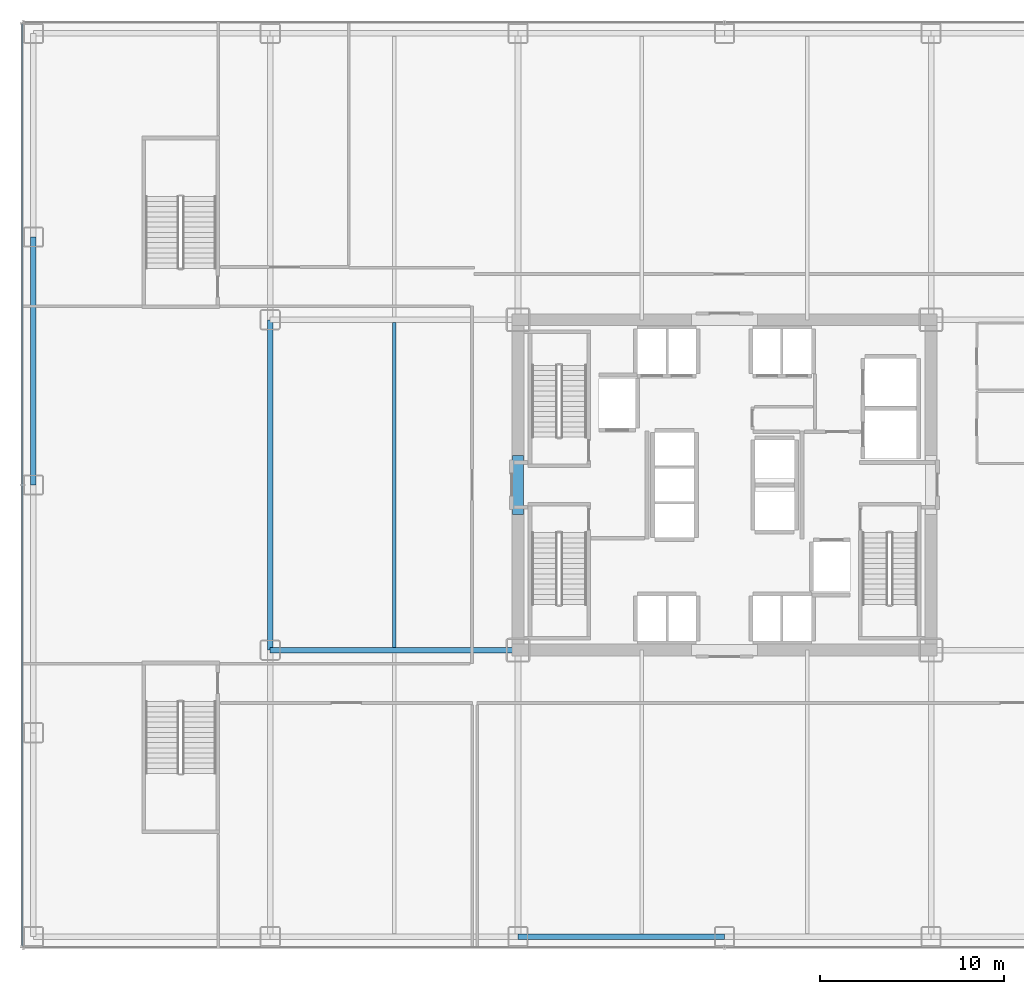
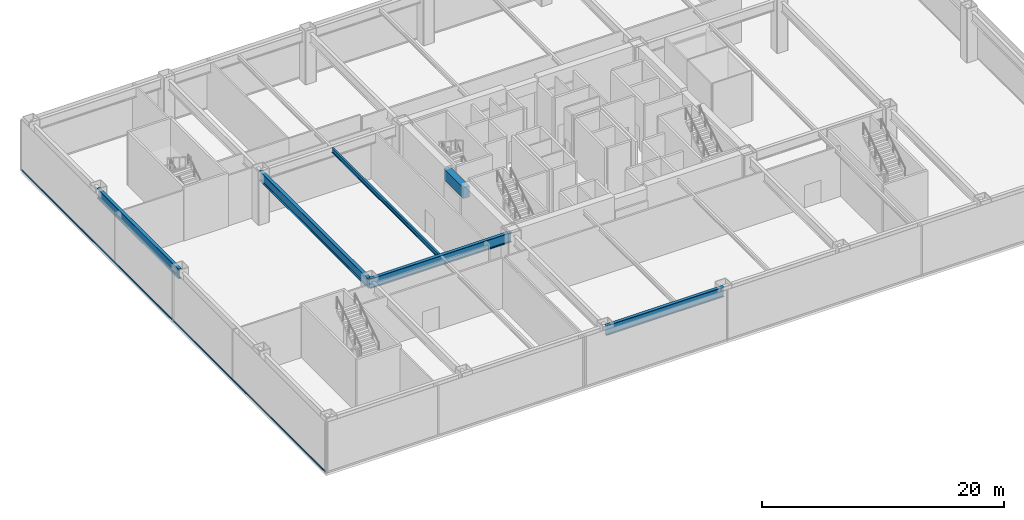
# One storey, part 5 of 24: 6 beams, 1 member, 1 element without a shape of its own.
"""IFC4 building model written with IfcOpenShell, lengths in metres."""

from ifc_helpers import new_model, si_unit, direction, frame, origin, origin_2d, place, context, subcontext, project, spatial, rectangle, hollow_rectangle, i_section, extrude, source, transform, mapped, material, layer, layer_set, material_profile, profile_set, type_object, element, aggregate, save


model = new_model("IFC4")

# Units and contexts
model_context = context("Model", 3, precision=1e-05, world=origin(), true_north=direction((0.0, 1.0)))
body_context = subcontext(model_context, "Body", "Model", "MODEL_VIEW")
ifc_project = project(units=[si_unit("LENGTHUNIT", "METRE"), si_unit("AREAUNIT", "SQUARE_METRE"), si_unit("VOLUMEUNIT", "CUBIC_METRE"), si_unit("PLANEANGLEUNIT", "RADIAN"), si_unit("MASSUNIT", "GRAM", prefix="KILO")], contexts=[model_context])

# Site, building, storey
site_placement = place(None, origin())
site = spatial("IfcSite", under=ifc_project, at=site_placement, CompositionType="ELEMENT")
building_placement = place(site_placement, origin())
building = spatial("IfcBuilding", under=site, at=building_placement, Name="Nefas-Gora Pilgrimage Tower", CompositionType="ELEMENT")
storey_placement = place(building_placement, frame((0.0, 0.0, 11.39990234375)))
storey = spatial("IfcBuildingStorey", under=building, at=storey_placement, Name="L02", CompositionType="ELEMENT", Elevation=11.39990234375)

# Beams
ifc_material_1 = material(Name="Concrete C60/75", Category="concrete")
ifc_material_profile_1 = material_profile(ifc_material_1, rectangle(XDim=0.60009765625, YDim=1.10009765625, at=origin_2d()), Name="RC 600x1100")
ifc_profile_set_1 = profile_set([ifc_material_profile_1], Name="Concrete C60/75")
beam_type_1 = type_object("IfcBeamType", Name="BM-LIN-RC1100", PredefinedType="LINTEL", material=ifc_profile_set_1)
shared_shape_1 = source(origin(), body_context, "Body", "SweptSolid", [
    extrude(rectangle(XDim=0.60009765625, YDim=1.10009765625, at=origin_2d()), origin(), (0.0, 0.0, 1.0), 3.2001953125),
])
beam_1_placement = place(storey_placement, frame((-11.25, -1.60009765625, 4.550048828125), z_axis=(0.0, 1.0, 0.0), x_axis=(-1.0, 0.0, 0.0)))
element("IfcBeam", 1, at=beam_1_placement, inside=storey, type_object=beam_type_1, Name="L02 Core Coupling Lintel Beam W", PredefinedType="LINTEL", context=body_context, shape_type="MappedRepresentation", body=[
    mapped(shared_shape_1, transform((0.0, 0.0, 0.0), x_axis=(1.0, 0.0, 0.0), y_axis=(0.0, 1.0, 0.0), z_axis=(0.0, 0.0, 1.0), scale=1.0)),
])
ifc_material_2 = material(Name="Steel S355", Category="steel")
ifc_material_profile_2 = material_profile(ifc_material_2, i_section(OverallWidth=0.18994140625, OverallDepth=0.449951171875, WebThickness=0.009521484375, FlangeThickness=0.0146484375, FilletRadius=0.02099609375, at=origin_2d()), Name="IPE 450")
ifc_profile_set_2 = profile_set([ifc_material_profile_2], Name="Steel S355")
beam_type_2 = type_object("IfcBeamType", Name="BM-JST-IPE450", PredefinedType="JOIST", material=ifc_profile_set_2)
shared_shape_2 = source(origin(), body_context, "Body", "SweptSolid", [
    extrude(i_section(OverallWidth=0.18994140625, OverallDepth=0.449951171875, WebThickness=0.009521484375, FlangeThickness=0.0146484375, FilletRadius=0.02099609375, at=origin_2d()), origin(), (0.0, 0.0, 1.0), 17.68798828125),
])
beam_2_placement = place(storey_placement, frame((-18.0, -8.843994140625, 4.875), z_axis=(0.0, 1.0, 0.0), x_axis=(-1.0, 0.0, 0.0)))
element("IfcBeam", 2, at=beam_2_placement, inside=storey, type_object=beam_type_2, Name="L02 J-01 beam", PredefinedType="JOIST", context=body_context, shape_type="MappedRepresentation", body=[
    mapped(shared_shape_2, transform((0.0, 0.0, 0.0), x_axis=(1.0, 0.0, 0.0), y_axis=(0.0, 1.0, 0.0), z_axis=(0.0, 0.0, 1.0), scale=1.0)),
])
ifc_material_3 = material(Name="Steel S460", Category="steel")
ifc_material_profile_3 = material_profile(ifc_material_3, i_section(OverallWidth=0.300048828125, OverallDepth=1.0, WebThickness=0.01904296875, FlangeThickness=0.035888671875, FilletRadius=0.030029296875, at=origin_2d()), Name="HEB 1000")
ifc_profile_set_3 = profile_set([ifc_material_profile_3], Name="Steel S460")
beam_type_3 = type_object("IfcBeamType", Name="BM-POD-HEB1000E", PredefinedType="BEAM", material=ifc_profile_set_3)
shared_shape_3 = source(origin(), body_context, "Body", "SweptSolid", [
    extrude(i_section(OverallWidth=0.300048828125, OverallDepth=1.0, WebThickness=0.01904296875, FlangeThickness=0.035888671875, FilletRadius=0.030029296875, at=origin_2d()), origin(), (0.0, 0.0, 1.0), 13.5),
])
beam_3_placement = place(storey_placement, frame((-37.64990234375, 0.0, 4.60009765625), z_axis=(0.0, 1.0, 0.0), x_axis=(-1.0, 0.0, 0.0)))
element("IfcBeam", 3, at=beam_3_placement, inside=storey, type_object=beam_type_3, Name="L02 PG-01E beam", PredefinedType="BEAM", context=body_context, shape_type="MappedRepresentation", body=[
    mapped(shared_shape_3, transform((0.0, 0.0, 0.0), x_axis=(1.0, 0.0, 0.0), y_axis=(0.0, 1.0, 0.0), z_axis=(0.0, 0.0, 1.0), scale=1.0)),
])
shared_shape_4 = source(origin(), body_context, "Body", "SweptSolid", [
    extrude(i_section(OverallWidth=0.300048828125, OverallDepth=1.0, WebThickness=0.01904296875, FlangeThickness=0.035888671875, FilletRadius=0.030029296875, at=origin_2d()), origin(), (0.0, 0.0, 1.0), 11.25),
])
beam_4_placement = place(storey_placement, frame((-11.25, -24.60009765625, 4.60009765625), z_axis=(1.0, 0.0, 0.0), x_axis=(0.0, 1.0, 0.0)))
element("IfcBeam", 4, at=beam_4_placement, inside=storey, type_object=beam_type_3, Name="L02 PG-01E beam", PredefinedType="BEAM", context=body_context, shape_type="MappedRepresentation", body=[
    mapped(shared_shape_4, transform((0.0, 0.0, 0.0), x_axis=(1.0, 0.0, 0.0), y_axis=(0.0, 1.0, 0.0), z_axis=(0.0, 0.0, 1.0), scale=1.0)),
])
ifc_material_profile_4 = material_profile(ifc_material_3, i_section(OverallWidth=0.300048828125, OverallDepth=1.0, WebThickness=0.01904296875, FlangeThickness=0.035888671875, FilletRadius=0.030029296875, at=origin_2d()), Name="HEB 1000")
ifc_profile_set_4 = profile_set([ifc_material_profile_4], Name="Steel S460")
beam_type_4 = type_object("IfcBeamType", Name="BM-POD-HEB1000", PredefinedType="BEAM", material=ifc_profile_set_4)
shared_shape_5 = source(origin(), body_context, "Body", "SweptSolid", [
    extrude(i_section(OverallWidth=0.300048828125, OverallDepth=1.0, WebThickness=0.01904296875, FlangeThickness=0.035888671875, FilletRadius=0.030029296875, at=origin_2d()), origin(), (0.0, 0.0, 1.0), 13.5),
])
beam_5_placement = place(storey_placement, frame((-24.75, -9.0, 4.60009765625), z_axis=(1.0, 0.0, 0.0), x_axis=(0.0, 1.0, 0.0)))
element("IfcBeam", 5, at=beam_5_placement, inside=storey, type_object=beam_type_4, Name="L02 PG-01 beam", PredefinedType="BEAM", context=body_context, shape_type="MappedRepresentation", body=[
    mapped(shared_shape_5, transform((0.0, 0.0, 0.0), x_axis=(1.0, 0.0, 0.0), y_axis=(0.0, 1.0, 0.0), z_axis=(0.0, 0.0, 1.0), scale=1.0)),
])
shared_shape_6 = source(origin(), body_context, "Body", "SweptSolid", [
    extrude(i_section(OverallWidth=0.300048828125, OverallDepth=1.0, WebThickness=0.01904296875, FlangeThickness=0.035888671875, FilletRadius=0.030029296875, at=origin_2d()), origin(), (0.0, 0.0, 1.0), 18.0),
])
beam_6_placement = place(storey_placement, frame((-24.75, -9.0, 4.60009765625), z_axis=(0.0, 1.0, 0.0), x_axis=(-1.0, 0.0, 0.0)))
element("IfcBeam", 6, at=beam_6_placement, inside=storey, type_object=beam_type_4, Name="L02 PG-01 beam", PredefinedType="BEAM", context=body_context, shape_type="MappedRepresentation", body=[
    mapped(shared_shape_6, transform((0.0, 0.0, 0.0), x_axis=(1.0, 0.0, 0.0), y_axis=(0.0, 1.0, 0.0), z_axis=(0.0, 0.0, 1.0), scale=1.0)),
])

# Curtain wall, member
ifc_material_4 = material(Name="Dark ceramic-fritted solar-control aluminium-glass curtain wall", Category="aluminium")
ifc_layer = layer(ifc_material_4, 0.219970703125)
ifc_layer_set = layer_set([ifc_layer], Name="Dark ceramic-fritted solar-control aluminium-glass curtain wall")
curtain_wall_type = type_object("IfcCurtainWallType", Name="CW-SYS-1", PredefinedType="NOTDEFINED", material=ifc_layer_set)
curtain_wall_placement = place(storey_placement, origin())
curtain_wall = element("IfcCurtainWall", 7, at=curtain_wall_placement, inside=storey, type_object=curtain_wall_type, Name="L02 Unitised Curtain Wall CW1", PredefinedType="NOTDEFINED")
ifc_material_5 = material(Name="Anodised architectural aluminium", Category="aluminium")
ifc_material_profile_5 = material_profile(ifc_material_5, hollow_rectangle(XDim=0.080078125, YDim=0.159912109375, WallThickness=0.00439453125, InnerFilletRadius=0.00439453125, OuterFilletRadius=0.009033203125, at=origin_2d()), Name="ALU TRANSOM 80x160")
ifc_profile_set_5 = profile_set([ifc_material_profile_5], Name="Anodised architectural aluminium")
member_type = type_object("IfcMemberType", Name="CWM-TRN-1", PredefinedType="USERDEFINED", material=ifc_profile_set_5)
shared_shape_7 = source(origin(), body_context, "Body", "SweptSolid", [
    extrude(hollow_rectangle(XDim=0.080078125, YDim=0.159912109375, WallThickness=0.00439453125, InnerFilletRadius=0.00439453125, OuterFilletRadius=0.009033203125, at=origin_2d()), origin(), (0.0, 0.0, 1.0), 50.22021484375),
])
member_placement = place(storey_placement, frame((-38.25, 25.110107421875, 0.050048828125), z_axis=(0.0, -1.0, 0.0), x_axis=(1.0, 0.0, 0.0)))
member = element("IfcMember", 8, at=member_placement, type_object=member_type, Name="CW1 Spandrel Transom", ObjectType="TRANSOM", PredefinedType="USERDEFINED", context=body_context, shape_type="MappedRepresentation", body=[
    mapped(shared_shape_7, transform((0.0, 0.0, 0.0), x_axis=(1.0, 0.0, 0.0), y_axis=(0.0, 1.0, 0.0), z_axis=(0.0, 0.0, 1.0), scale=1.0)),
])
aggregate(curtain_wall, [member])

save(model, "model.ifc")
